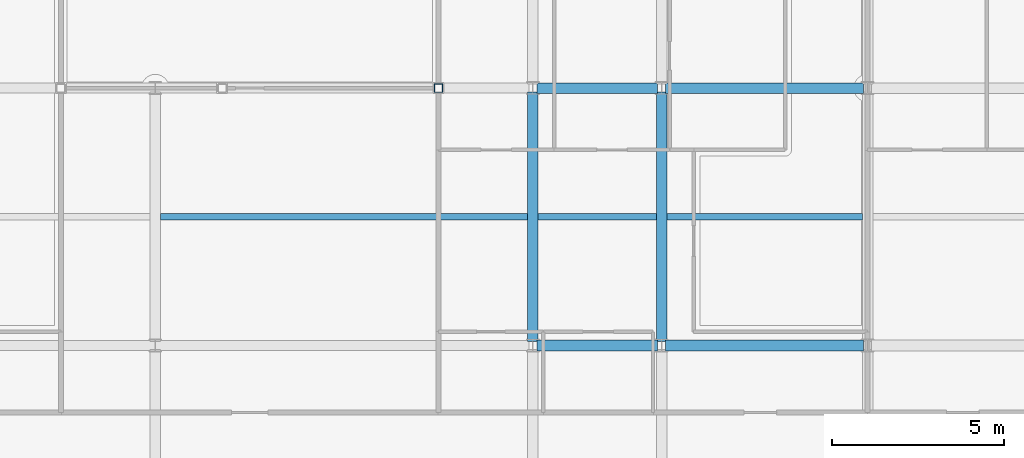
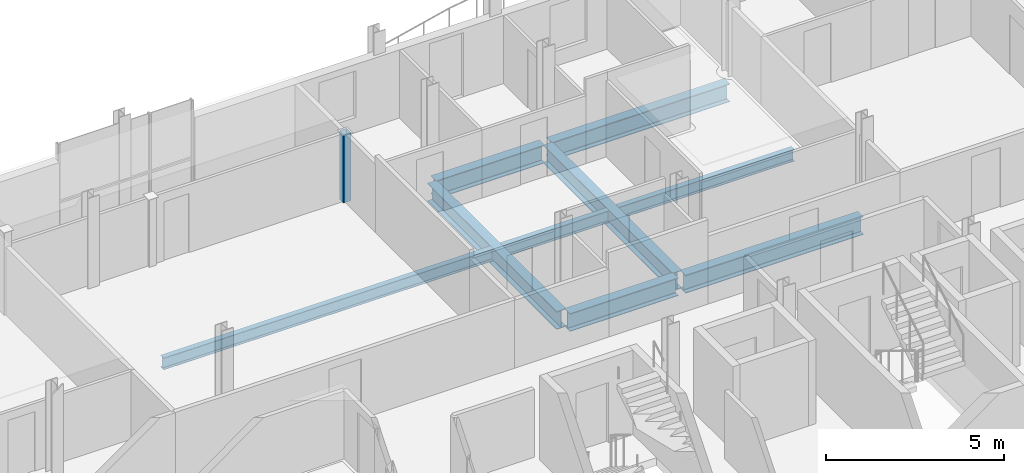
# One storey, part 15 of 35: 9 beams, 1 member.
"""IFC4 building model written with IfcOpenShell, lengths in metres."""

from ifc_helpers import new_model, si_unit, direction, frame, origin, origin_2d, place, context, subcontext, project, spatial, hollow_rectangle, i_section, extrude, material, material_profile, profile_set, type_object, element, save


model = new_model("IFC4")

# Units and contexts
model_context = context("Model", 3, precision=1e-05, world=origin(), true_north=direction((0.0, 1.0)))
body_context = subcontext(model_context, "Body", "Model", "MODEL_VIEW")
ifc_project = project(units=[si_unit("LENGTHUNIT", "METRE"), si_unit("AREAUNIT", "SQUARE_METRE"), si_unit("VOLUMEUNIT", "CUBIC_METRE"), si_unit("PLANEANGLEUNIT", "RADIAN"), si_unit("MASSUNIT", "GRAM", prefix="KILO")], contexts=[model_context])

# Site, building, storey
site_placement = place(None, origin())
site = spatial("IfcSite", under=ifc_project, at=site_placement, CompositionType="ELEMENT")
building_placement = place(site_placement, origin())
building = spatial("IfcBuilding", under=site, at=building_placement, Name="Brevholm Reach", CompositionType="ELEMENT")
storey_placement = place(building_placement, frame((0.0, 0.0, 218.0)))
storey = spatial("IfcBuildingStorey", under=building, at=storey_placement, Name="L66", CompositionType="ELEMENT", Elevation=218.0)

# Beams
ifc_material_1 = material(Name="Structural Steel S355J2", Category="steel")
ifc_material_profile_1 = material_profile(ifc_material_1, i_section(OverallWidth=0.177978515625, OverallDepth=0.406494140625, WebThickness=0.0078125, FlangeThickness=0.0126953125, FilletRadius=0.01025390625, at=origin_2d()), Name="UKB 406x178x60")
ifc_profile_set_1 = profile_set([ifc_material_profile_1], Name="Structural Steel S355J2")
beam_type_1 = type_object("IfcBeamType", Name="BM-B406", PredefinedType="BEAM", material=ifc_profile_set_1)
beam_1_placement = place(storey_placement, frame((27.403564453125, 19.75, -0.47314453125), z_axis=(1.0, 0.0, 0.0), x_axis=(0.0, 1.0, 0.0)))
element("IfcBeam", 1, at=beam_1_placement, inside=storey, type_object=beam_type_1, Name="L66 Composite Secondary Floor Beam", PredefinedType="BEAM", context=body_context, shape_type="SweptSolid", body=[
    extrude(i_section(OverallWidth=0.177978515625, OverallDepth=0.406494140625, WebThickness=0.0078125, FlangeThickness=0.0126953125, FilletRadius=0.01025390625, at=origin_2d()), origin(), (0.0, 0.0, 1.0), 10.69287109375),
])
beam_2_placement = place(storey_placement, frame((38.403564453125, 19.75, -0.47314453125), z_axis=(1.0, 0.0, 0.0), x_axis=(0.0, 1.0, 0.0)))
element("IfcBeam", 2, at=beam_2_placement, inside=storey, type_object=beam_type_1, Name="L66 Composite Secondary Floor Beam", PredefinedType="BEAM", context=body_context, shape_type="SweptSolid", body=[
    extrude(i_section(OverallWidth=0.177978515625, OverallDepth=0.406494140625, WebThickness=0.0078125, FlangeThickness=0.0126953125, FilletRadius=0.01025390625, at=origin_2d()), origin(), (0.0, 0.0, 1.0), 3.44287109375),
])
beam_3_placement = place(storey_placement, frame((42.153564453125, 19.75, -0.47314453125), z_axis=(1.0, 0.0, 0.0), x_axis=(0.0, 1.0, 0.0)))
element("IfcBeam", 3, at=beam_3_placement, inside=storey, type_object=beam_type_1, Name="L66 Composite Secondary Floor Beam", PredefinedType="BEAM", context=body_context, shape_type="SweptSolid", body=[
    extrude(i_section(OverallWidth=0.177978515625, OverallDepth=0.406494140625, WebThickness=0.0078125, FlangeThickness=0.0126953125, FilletRadius=0.01025390625, at=origin_2d()), origin(), (0.0, 0.0, 1.0), 5.69287109375),
])
ifc_material_2 = material(Name="Structural Steel S355J2", Category="steel")
ifc_material_profile_2 = material_profile(ifc_material_2, i_section(OverallWidth=0.30712890625, OverallDepth=0.6201171875, WebThickness=0.01416015625, FlangeThickness=0.023681640625, FilletRadius=0.0166015625, at=origin_2d()), Name="UKB 610x305x179")
ifc_profile_set_2 = profile_set([ifc_material_profile_2], Name="Structural Steel S355J2")
beam_type_2 = type_object("IfcBeamType", Name="BM-UKB610H", PredefinedType="USERDEFINED", material=ifc_profile_set_2)
beam_4_placement = place(storey_placement, frame((38.3701171875, 16.0, -0.580078125), z_axis=(1.0, 0.0, 0.0), x_axis=(0.0, 1.0, 0.0)))
element("IfcBeam", 4, at=beam_4_placement, inside=storey, type_object=beam_type_2, Name="L66 G-06 Framing Beam", ObjectType="GIRDER", PredefinedType="USERDEFINED", context=body_context, shape_type="SweptSolid", body=[
    extrude(i_section(OverallWidth=0.30712890625, OverallDepth=0.6201171875, WebThickness=0.01416015625, FlangeThickness=0.023681640625, FilletRadius=0.0166015625, at=origin_2d()), origin(), (0.0, 0.0, 1.0), 3.509765625),
])
beam_5_placement = place(storey_placement, frame((42.1201171875, 16.0, -0.580078125), z_axis=(1.0, 0.0, 0.0), x_axis=(0.0, 1.0, 0.0)))
element("IfcBeam", 5, at=beam_5_placement, inside=storey, type_object=beam_type_2, Name="L66 G-06 Framing Beam", ObjectType="GIRDER", PredefinedType="USERDEFINED", context=body_context, shape_type="SweptSolid", body=[
    extrude(i_section(OverallWidth=0.30712890625, OverallDepth=0.6201171875, WebThickness=0.01416015625, FlangeThickness=0.023681640625, FilletRadius=0.0166015625, at=origin_2d()), origin(), (0.0, 0.0, 1.0), 5.759765625),
])
beam_6_placement = place(storey_placement, frame((38.3701171875, 23.5, -0.580078125), z_axis=(1.0, 0.0, 0.0), x_axis=(0.0, 1.0, 0.0)))
element("IfcBeam", 6, at=beam_6_placement, inside=storey, type_object=beam_type_2, Name="L66 G-06 Framing Beam", ObjectType="GIRDER", PredefinedType="USERDEFINED", context=body_context, shape_type="SweptSolid", body=[
    extrude(i_section(OverallWidth=0.30712890625, OverallDepth=0.6201171875, WebThickness=0.01416015625, FlangeThickness=0.023681640625, FilletRadius=0.0166015625, at=origin_2d()), origin(), (0.0, 0.0, 1.0), 3.509765625),
])
beam_7_placement = place(storey_placement, frame((42.1201171875, 23.5, -0.580078125), z_axis=(1.0, 0.0, 0.0), x_axis=(0.0, 1.0, 0.0)))
element("IfcBeam", 7, at=beam_7_placement, inside=storey, type_object=beam_type_2, Name="L66 G-06 Framing Beam", ObjectType="GIRDER", PredefinedType="USERDEFINED", context=body_context, shape_type="SweptSolid", body=[
    extrude(i_section(OverallWidth=0.30712890625, OverallDepth=0.6201171875, WebThickness=0.01416015625, FlangeThickness=0.023681640625, FilletRadius=0.0166015625, at=origin_2d()), origin(), (0.0, 0.0, 1.0), 5.759765625),
])
for number, where, z_axis, x_axis, name in (
    (8, (38.25, 16.1201171875, -0.580078125), (0.0, 1.0, 0.0), (-1.0, 0.0, 0.0), "L66 G-06 Framing Beam"),
    (9, (42.0, 16.1201171875, -0.580078125), (0.0, 1.0, 0.0), (-1.0, 0.0, 0.0), "L66 G-06 Framing Beam"),
):
    element("IfcBeam", number, at=place(storey_placement, frame(where, z_axis=z_axis, x_axis=x_axis)), inside=storey, type_object=beam_type_2, Name=name, ObjectType="GIRDER", PredefinedType="USERDEFINED", context=body_context, shape_type="SweptSolid", body=[
        extrude(i_section(OverallWidth=0.30712890625, OverallDepth=0.6201171875, WebThickness=0.01416015625, FlangeThickness=0.023681640625, FilletRadius=0.0166015625, at=origin_2d()), origin(), (0.0, 0.0, 1.0), 7.259765625),
    ])

# Member
ifc_material_3 = material(Name="Structural Steel S355J2H", Category="steel")
ifc_material_profile_3 = material_profile(ifc_material_3, hollow_rectangle(XDim=0.25, YDim=0.25, WallThickness=0.010009765625, InnerFilletRadius=0.010009765625, OuterFilletRadius=0.02001953125, at=origin_2d()), Name="SHS 250x250x10")
ifc_profile_set_3 = profile_set([ifc_material_profile_3], Name="Structural Steel S355J2H")
member_type = type_object("IfcMemberType", Name="MEM-ST-SHS250", PredefinedType="STRUT", material=ifc_profile_set_3)
member_placement = place(storey_placement, frame((35.5, 23.5, 0.0), z_axis=(0.0, 0.0, 1.0), x_axis=(1.0, 0.0, 0.0)))
element("IfcMember", 10, at=member_placement, inside=storey, type_object=member_type, Name="L66 Portal Vierendeel Post 3", PredefinedType="STRUT", context=body_context, shape_type="SweptSolid", body=[
    extrude(hollow_rectangle(XDim=0.25, YDim=0.25, WallThickness=0.010009765625, InnerFilletRadius=0.010009765625, OuterFilletRadius=0.02001953125, at=origin_2d()), origin(), (0.0, 0.0, 1.0), 2.33544921875),
])

save(model, "model.ifc")
